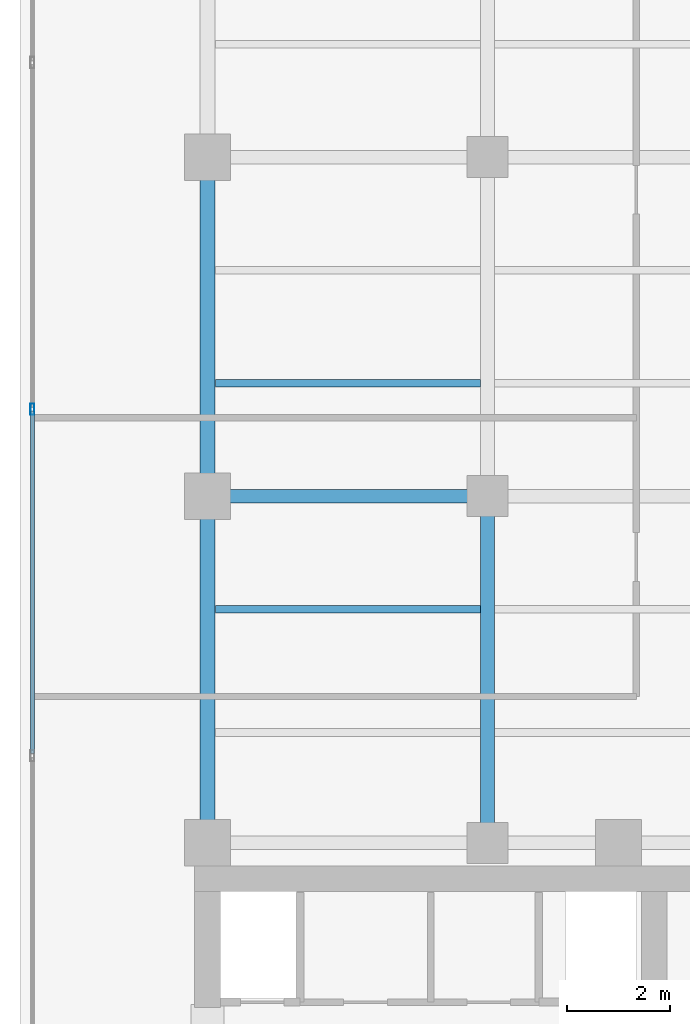
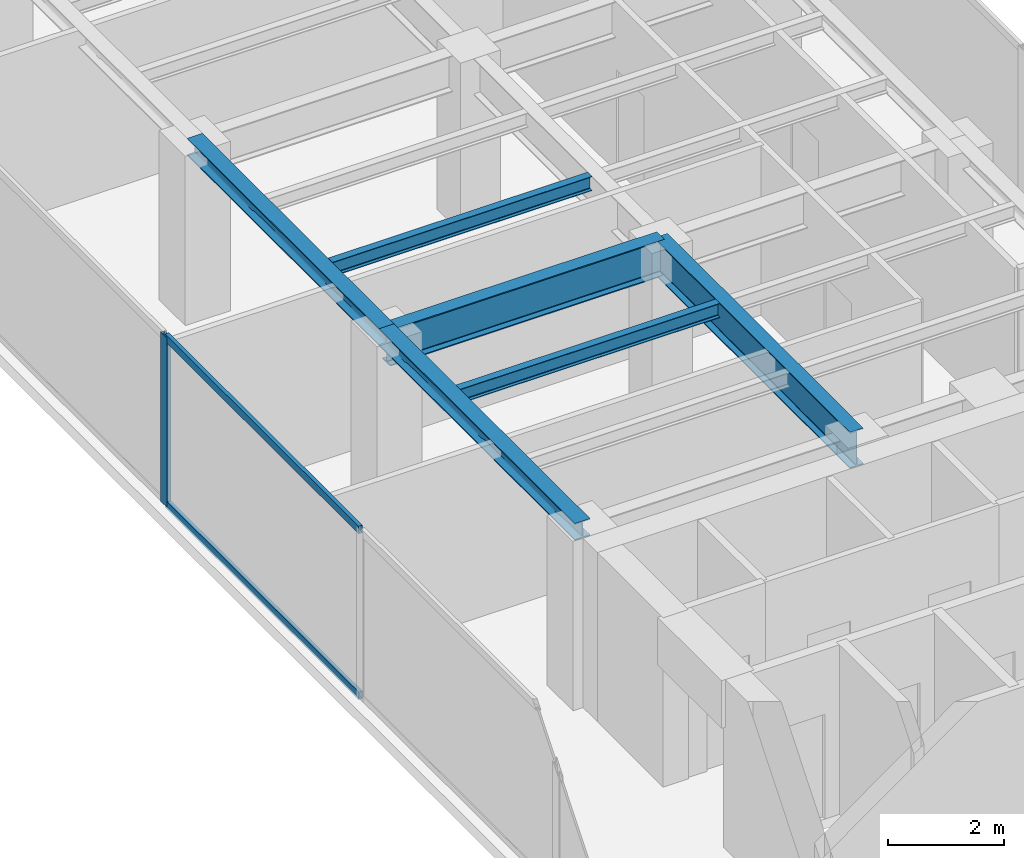
# One storey, part 7 of 22: 6 beams, 3 members, 1 element without a shape of its own.
"""IFC4 building model written with IfcOpenShell, lengths in metres."""

from ifc_helpers import new_model, si_unit, direction, frame, origin, origin_with_axes, origin_2d, place, context, subcontext, project, spatial, hollow_rectangle, i_section, extrude, source, transform, mapped, material, layer, layer_set, material_profile, profile_set, type_object, element, aggregate, save


model = new_model("IFC4")

# Units and contexts
model_context = context("Model", 3, precision=1e-05, world=origin(), true_north=direction((0.0, 1.0)))
body_context = subcontext(model_context, "Body", "Model", "MODEL_VIEW")
ifc_project = project(units=[si_unit("LENGTHUNIT", "METRE"), si_unit("AREAUNIT", "SQUARE_METRE"), si_unit("VOLUMEUNIT", "CUBIC_METRE"), si_unit("PLANEANGLEUNIT", "RADIAN"), si_unit("MASSUNIT", "GRAM", prefix="KILO")], contexts=[model_context])

# Site, building, storey
site_placement = place(None, origin())
site = spatial("IfcSite", under=ifc_project, at=site_placement, CompositionType="ELEMENT")
building_placement = place(site_placement, origin())
building = spatial("IfcBuilding", under=site, at=building_placement, Name="Kolvaren Waterfront Exchange", CompositionType="ELEMENT")
storey_placement = place(building_placement, frame((0.0, 0.0, 274.199951171875)))
storey = spatial("IfcBuildingStorey", under=building, at=storey_placement, Name="L70", CompositionType="ELEMENT", Elevation=274.199951171875)

# Beams
ifc_material_1 = material(Name="Steel S355", Category="steel")
ifc_material_profile_1 = material_profile(ifc_material_1, i_section(OverallWidth=0.300048828125, OverallDepth=0.360107421875, WebThickness=0.012451171875, FlangeThickness=0.0224609375, FilletRadius=0.027099609375, at=origin_2d()), Name="HEB360")
ifc_profile_set_1 = profile_set([ifc_material_profile_1], Name="Steel S355")
beam_type_1 = type_object("IfcBeamType", Name="STR-BM-HEB360", PredefinedType="SPANDREL", material=ifc_profile_set_1)
beam_1_placement = place(storey_placement, frame((7.449951171875, 24.449951171875, 3.380126953125), z_axis=(0.0, 1.0, 0.0), x_axis=(-1.0, 0.0, 0.0)))
element("IfcBeam", 1, at=beam_1_placement, inside=storey, type_object=beam_type_1, Name="L70 north-arm edge beam 1", PredefinedType="SPANDREL", context=body_context, shape_type="SweptSolid", body=[
    extrude(i_section(OverallWidth=0.300048828125, OverallDepth=0.360107421875, WebThickness=0.012451171875, FlangeThickness=0.0224609375, FilletRadius=0.027099609375, at=origin_2d()), origin(), (0.0, 0.0, 1.0), 6.75),
])
beam_2_placement = place(storey_placement, frame((7.449951171875, 31.199951171875, 3.380126953125), z_axis=(0.0, 1.0, 0.0), x_axis=(-1.0, 0.0, 0.0)))
element("IfcBeam", 2, at=beam_2_placement, inside=storey, type_object=beam_type_1, Name="L70 north-arm edge beam 2", PredefinedType="SPANDREL", context=body_context, shape_type="SweptSolid", body=[
    extrude(i_section(OverallWidth=0.300048828125, OverallDepth=0.360107421875, WebThickness=0.012451171875, FlangeThickness=0.0224609375, FilletRadius=0.027099609375, at=origin_2d()), origin(), (0.0, 0.0, 1.0), 6.60009765625),
])
ifc_material_profile_2 = material_profile(ifc_material_1, i_section(OverallWidth=0.14990234375, OverallDepth=0.300048828125, WebThickness=0.007080078125, FlangeThickness=0.0107421875, FilletRadius=0.014892578125, at=origin_2d()), Name="IPE300")
ifc_profile_set_2 = profile_set([ifc_material_profile_2], Name="Steel S355")
beam_type_2 = type_object("IfcBeamType", Name="STR-BM-IPE300", PredefinedType="JOIST", material=ifc_profile_set_2)
for number, where, z_axis, x_axis, name in (
    (3, (7.60205078125, 29.0, 3.41015625), (1.0, 0.0, 0.0), (0.0, 1.0, 0.0), "L70 north-arm composite joist 2A"),
    (4, (7.60205078125, 33.39990234375, 3.41015625), (1.0, 0.0, 0.0), (0.0, 1.0, 0.0), "L70 north-arm composite joist 3A"),
):
    element("IfcBeam", number, at=place(storey_placement, frame(where, z_axis=z_axis, x_axis=x_axis)), inside=storey, type_object=beam_type_2, Name=name, PredefinedType="JOIST", context=body_context, shape_type="SweptSolid", body=[
        extrude(i_section(OverallWidth=0.14990234375, OverallDepth=0.300048828125, WebThickness=0.007080078125, FlangeThickness=0.0107421875, FilletRadius=0.014892578125, at=origin_2d()), origin(), (0.0, 0.0, 1.0), 5.162353515625),
    ])
ifc_material_profile_3 = material_profile(ifc_material_1, i_section(OverallWidth=0.26708984375, OverallDepth=0.761962890625, WebThickness=0.014404296875, FlangeThickness=0.021484375, FilletRadius=0.01708984375, at=origin_2d()), Name="IPE750x173")
ifc_profile_set_3 = profile_set([ifc_material_profile_3], Name="Steel S355")
beam_type_3 = type_object("IfcBeamType", Name="STR-BM-IPE750", PredefinedType="BEAM", material=ifc_profile_set_3)
beam_3_placement = place(storey_placement, frame((7.449951171875, 31.199951171875, 3.178955078125), z_axis=(1.0, 0.0, 0.0), x_axis=(0.0, 1.0, 0.0)))
element("IfcBeam", 5, at=beam_3_placement, inside=storey, type_object=beam_type_3, Name="L70 north-arm girder 2A", PredefinedType="BEAM", context=body_context, shape_type="SweptSolid", body=[
    extrude(i_section(OverallWidth=0.26708984375, OverallDepth=0.761962890625, WebThickness=0.014404296875, FlangeThickness=0.021484375, FilletRadius=0.01708984375, at=origin_2d()), origin(), (0.0, 0.0, 1.0), 5.449951171875),
])
beam_4_placement = place(storey_placement, frame((12.89990234375, 24.449951171875, 3.178955078125), z_axis=(0.0, 1.0, 0.0), x_axis=(-1.0, 0.0, 0.0)))
element("IfcBeam", 6, at=beam_4_placement, inside=storey, type_object=beam_type_3, Name="L70 north-arm edge beam 1", PredefinedType="BEAM", context=body_context, shape_type="SweptSolid", body=[
    extrude(i_section(OverallWidth=0.26708984375, OverallDepth=0.761962890625, WebThickness=0.014404296875, FlangeThickness=0.021484375, FilletRadius=0.01708984375, at=origin_2d()), origin(), (0.0, 0.0, 1.0), 6.75),
])

# Curtain wall, members
ifc_material_2 = material(Name="Anodised aluminium 6063-T6", Category="aluminium")
ifc_layer = layer(ifc_material_2, 0.219970703125, Name="Anodised aluminium 6063-T6")
ifc_layer_set = layer_set([ifc_layer], Name="Anodised aluminium 6063-T6")
curtain_wall_type = type_object("IfcCurtainWallType", Name="ARC-CW-SYS2", PredefinedType="USERDEFINED", material=ifc_layer_set)
curtain_wall_placement = place(storey_placement, origin())
curtain_wall = element("IfcCurtainWall", 7, at=curtain_wall_placement, inside=storey, type_object=curtain_wall_type, Name="L70 stick curtain wall CW2 (CW-L70-W)", ObjectType="STICK CURTAIN WALL", PredefinedType="USERDEFINED")
ifc_material_profile_4 = material_profile(ifc_material_2, hollow_rectangle(XDim=0.080078125, YDim=0.219970703125, WallThickness=0.0048828125, at=origin_2d()), Name="ALU-MUL-220x80x5")
ifc_profile_set_4 = profile_set([ifc_material_profile_4], Name="Anodised aluminium 6063-T6")
member_type_1 = type_object("IfcMemberType", Name="ARC-CWM-220", PredefinedType="MULLION", material=ifc_profile_set_4)
shared_shape_1 = source(origin_with_axes(), body_context, "Body", "SweptSolid", [
    extrude(hollow_rectangle(XDim=0.080078125, YDim=0.219970703125, WallThickness=0.0048828125, at=origin_2d()), origin(), (0.0, 0.0, 1.0), 3.56005859375),
])
member_1_placement = place(storey_placement, frame((4.0400390625, 32.89306640625, 0.0), z_axis=(0.0, 0.0, 1.0), x_axis=(-1.0, 0.0, 0.0)))
member_1 = element("IfcMember", 8, at=member_1_placement, type_object=member_type_1, Name="CW2 mullion 5", PredefinedType="MULLION", context=body_context, shape_type="MappedRepresentation", body=[
    mapped(shared_shape_1, transform((0.0, 0.0, 0.0), x_axis=(1.0, 0.0, 0.0), y_axis=(0.0, 1.0, 0.0), z_axis=(0.0, 0.0, 1.0), scale=1.0)),
])
ifc_material_profile_5 = material_profile(ifc_material_2, hollow_rectangle(XDim=0.074951171875, YDim=0.159912109375, WallThickness=0.00439453125, at=origin_2d()), Name="ALU-TRN-160x75x4.5")
ifc_profile_set_5 = profile_set([ifc_material_profile_5], Name="Anodised aluminium 6063-T6")
member_type_2 = type_object("IfcMemberType", Name="ARC-CWT-160", PredefinedType="USERDEFINED", material=ifc_profile_set_5)
shared_shape_2 = source(origin_with_axes(), body_context, "Body", "SweptSolid", [
    extrude(hollow_rectangle(XDim=0.074951171875, YDim=0.159912109375, WallThickness=0.00439453125, at=origin_2d()), origin(), (0.0, 0.0, 1.0), 6.668212890625),
])
member_2_placement = place(storey_placement, frame((4.0400390625, 26.184814453125, 0.03759765625), z_axis=(0.0, 1.0, 0.0), x_axis=(-1.0, 0.0, 0.0)))
member_2 = element("IfcMember", 9, at=member_2_placement, type_object=member_type_2, Name="CW2 transom 4.1", ObjectType="TRANSOM", PredefinedType="USERDEFINED", context=body_context, shape_type="MappedRepresentation", body=[
    mapped(shared_shape_2, transform((0.0, 0.0, 0.0), x_axis=(1.0, 0.0, 0.0), y_axis=(0.0, 1.0, 0.0), z_axis=(0.0, 0.0, 1.0), scale=1.0)),
])
member_3_placement = place(storey_placement, frame((4.0400390625, 26.184814453125, 3.5224609375), z_axis=(0.0, 1.0, 0.0), x_axis=(-1.0, 0.0, 0.0)))
member_3 = element("IfcMember", 10, at=member_3_placement, type_object=member_type_2, Name="CW2 transom 4.2", ObjectType="TRANSOM", PredefinedType="USERDEFINED", context=body_context, shape_type="MappedRepresentation", body=[
    mapped(shared_shape_2, transform((0.0, 0.0, 0.0), x_axis=(1.0, 0.0, 0.0), y_axis=(0.0, 1.0, 0.0), z_axis=(0.0, 0.0, 1.0), scale=1.0)),
])
aggregate(curtain_wall, [member_1, member_2, member_3])

save(model, "model.ifc")
